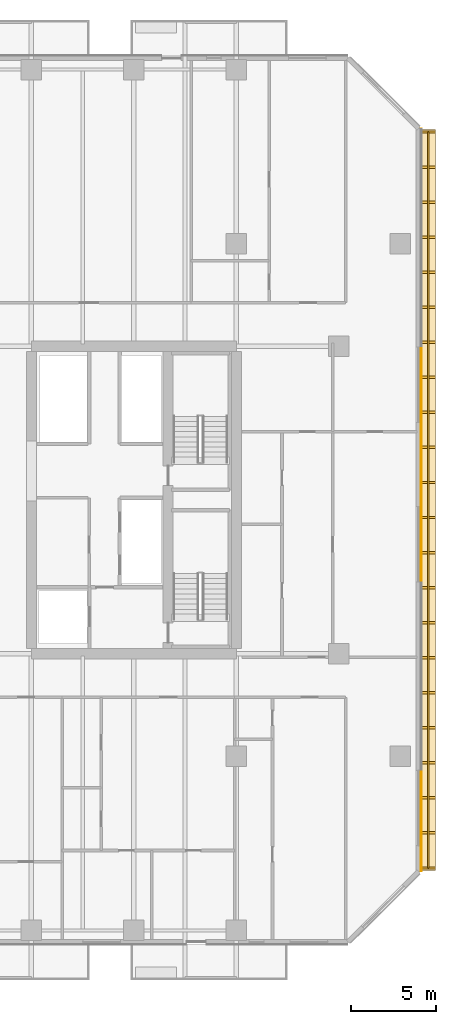
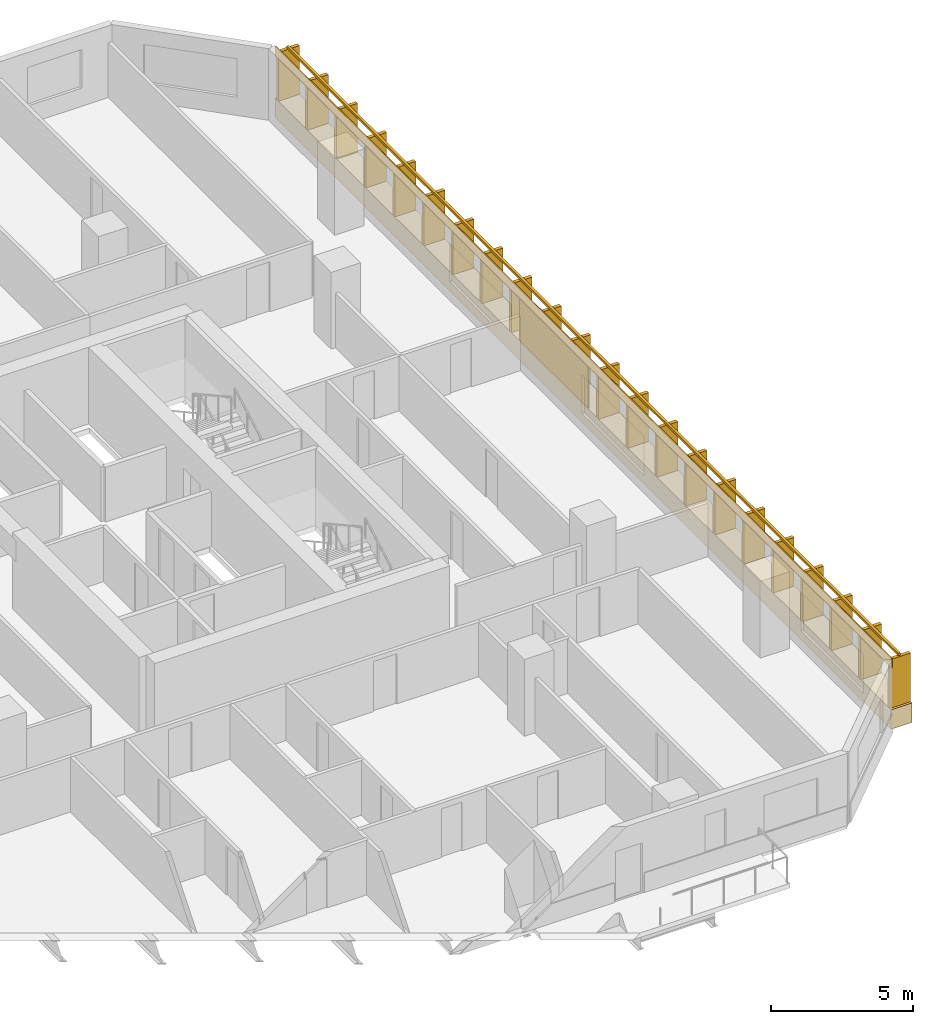
# One storey, part 25 of 26: 3 coverings, 1 railing.
"""IFC4 building model written with IfcOpenShell, lengths in metres."""

from ifc_helpers import new_model, si_unit, direction, frame, origin, origin_2d, place, context, subcontext, project, spatial, rectangle, extrude, material, layer, layer_set, type_object, element, save


model = new_model("IFC4")

# Units and contexts
model_context = context("Model", 3, precision=1e-05, world=origin(), true_north=direction((0.0, 1.0)))
body_context = subcontext(model_context, "Body", "Model", "MODEL_VIEW")
ifc_project = project(units=[si_unit("LENGTHUNIT", "METRE"), si_unit("AREAUNIT", "SQUARE_METRE"), si_unit("VOLUMEUNIT", "CUBIC_METRE"), si_unit("PLANEANGLEUNIT", "RADIAN"), si_unit("MASSUNIT", "GRAM", prefix="KILO")], contexts=[model_context])

# Site, building, storey
site_placement = place(None, origin())
site = spatial("IfcSite", under=ifc_project, at=site_placement, CompositionType="ELEMENT")
building_placement = place(site_placement, origin())
building = spatial("IfcBuilding", under=site, at=building_placement, Name="Tanjung Sevakor Pilgrim Tower", CompositionType="ELEMENT")
storey_placement = place(building_placement, frame((0.0, 0.0, 48.840087890625)))
storey = spatial("IfcBuildingStorey", under=building, at=storey_placement, Name="L13", CompositionType="ELEMENT", Elevation=48.840087890625)

# Coverings
ifc_material_1 = material(Name="Reconstructed Limestone Cladding", Category="masonry")
ifc_layer = layer(ifc_material_1, 0.044921875)
ifc_layer_set = layer_set([ifc_layer], Name="COV-CLAD-LIMESTONE")
covering_type = type_object("IfcCoveringType", Name="COV-CLAD-LIMESTONE", PredefinedType="CLADDING", material=ifc_layer_set)
covering_1_placement = place(storey_placement, frame((101.22998046875, 33.60009765625, 0.009765625), z_axis=(0.0, 0.0, 1.0), x_axis=(0.0, 1.0, 0.0)))
element("IfcCovering", 1, at=covering_1_placement, inside=storey, type_object=covering_type, Name="L13 Warm Limestone Sill Spandrel EW-L13-MAIN-7-1", PredefinedType="CLADDING", context=body_context, shape_type="SweptSolid", body=[
    extrude(rectangle(XDim=43.404052734375, YDim=0.860107421875, at=origin_2d()), origin(), (0.0, 0.0, 1.0), 0.840087890625),
])
covering_2_placement = place(storey_placement, frame((100.822509765625, 33.60009765625, 2.66015625), z_axis=(0.0, 0.0, 1.0), x_axis=(0.0, 1.0, 0.0)))
element("IfcCovering", 2, at=covering_2_placement, inside=storey, type_object=covering_type, Name="L13 Warm Limestone Cornice Spandrel EW-L13-MAIN-7", PredefinedType="CLADDING", context=body_context, shape_type="SweptSolid", body=[
    extrude(rectangle(XDim=43.444091796875, YDim=0.044921875, at=origin_2d()), origin(), (0.0, 0.0, 1.0), 0.409912109375),
])
covering_3_placement = place(storey_placement, frame((100.822509765625, 35.679931640625, 0.849853515625), z_axis=(0.0, 0.0, 1.0), x_axis=(0.0, 1.0, 0.0)))
element("IfcCovering", 3, at=covering_3_placement, inside=storey, type_object=covering_type, Name="L13 Warm Limestone Pier Panel EW-L13-MAIN-7-2", PredefinedType="CLADDING", context=body_context, shape_type="SweptSolid", body=[
    extrude(rectangle(XDim=4.840087890625, YDim=0.044921875, at=origin_2d()), origin(), (0.0, 0.0, 1.0), 1.81005859375),
])

# Railing
ifc_material_2 = material(Name="Anodised Bronze Aluminium 6063-T6", Category="aluminium")
railing_type = type_object("IfcRailingType", Name="RL-FIN-SCREEN", PredefinedType="BALUSTRADE", material=ifc_material_2)
railing_placement = place(storey_placement, frame((101.22509765625, 12.05810546875, 0.83984375)))
element("IfcRailing", 4, at=railing_placement, inside=storey, type_object=railing_type, Name="L13 Vertical Bronze-Gold Solar Fin Screen FNEND-EW-L13-MAIN-7-1", PredefinedType="BALUSTRADE", context=body_context, shape_type="SweptSolid", body=[
    extrude(rectangle(XDim=0.105, YDim=0.105), frame((0.0, 0.0, 2.157470703125), z_axis=(0.0, 1.0, 0.0), x_axis=(-1.0, 0.0, 0.0)), (0.0, 0.0, 1.0), 43.083984375),
    extrude(rectangle(XDim=0.85, YDim=0.14), origin(), (0.0, 0.0, 1.0), 2.10498046875),
    extrude(rectangle(XDim=0.85, YDim=0.14), frame((0.0, 2.051513671875, 0.0)), (0.0, 0.0, 1.0), 2.10498046875),
    extrude(rectangle(XDim=0.85, YDim=0.14), frame((0.0, 4.103271484375, 0.0)), (0.0, 0.0, 1.0), 2.10498046875),
    extrude(rectangle(XDim=0.85, YDim=0.14), frame((0.0, 6.15478515625, 0.0)), (0.0, 0.0, 1.0), 2.10498046875),
    extrude(rectangle(XDim=0.85, YDim=0.14), frame((0.0, 8.20654296875, 0.0)), (0.0, 0.0, 1.0), 2.10498046875),
    extrude(rectangle(XDim=0.85, YDim=0.14), frame((0.0, 10.258056640625, 0.0)), (0.0, 0.0, 1.0), 2.10498046875),
    extrude(rectangle(XDim=0.85, YDim=0.14), frame((0.0, 12.309814453125, 0.0)), (0.0, 0.0, 1.0), 2.10498046875),
    extrude(rectangle(XDim=0.85, YDim=0.14), frame((0.0, 14.361328125, 0.0)), (0.0, 0.0, 1.0), 2.10498046875),
    extrude(rectangle(XDim=0.85, YDim=0.14), frame((0.0, 16.412841796875, 0.0)), (0.0, 0.0, 1.0), 2.10498046875),
    extrude(rectangle(XDim=0.85, YDim=0.14), frame((0.0, 18.464599609375, 0.0)), (0.0, 0.0, 1.0), 2.10498046875),
    extrude(rectangle(XDim=0.85, YDim=0.14), frame((0.0, 20.51611328125, 0.0)), (0.0, 0.0, 1.0), 2.10498046875),
    extrude(rectangle(XDim=0.85, YDim=0.14), frame((0.0, 22.56787109375, 0.0)), (0.0, 0.0, 1.0), 2.10498046875),
    extrude(rectangle(XDim=0.85, YDim=0.14), frame((0.0, 24.619384765625, 0.0)), (0.0, 0.0, 1.0), 2.10498046875),
    extrude(rectangle(XDim=0.85, YDim=0.14), frame((0.0, 26.671142578125, 0.0)), (0.0, 0.0, 1.0), 2.10498046875),
    extrude(rectangle(XDim=0.85, YDim=0.14), frame((0.0, 28.72265625, 0.0)), (0.0, 0.0, 1.0), 2.10498046875),
    extrude(rectangle(XDim=0.85, YDim=0.14), frame((0.0, 30.774169921875, 0.0)), (0.0, 0.0, 1.0), 2.10498046875),
    extrude(rectangle(XDim=0.85, YDim=0.14), frame((0.0, 32.825927734375, 0.0)), (0.0, 0.0, 1.0), 2.10498046875),
    extrude(rectangle(XDim=0.85, YDim=0.14), frame((0.0, 34.87744140625, 0.0)), (0.0, 0.0, 1.0), 2.10498046875),
    extrude(rectangle(XDim=0.85, YDim=0.14), frame((0.0, 36.92919921875, 0.0)), (0.0, 0.0, 1.0), 2.10498046875),
    extrude(rectangle(XDim=0.85, YDim=0.14), frame((0.0, 38.980712890625, 0.0)), (0.0, 0.0, 1.0), 2.10498046875),
    extrude(rectangle(XDim=0.85, YDim=0.14), frame((0.0, 41.032470703125, 0.0)), (0.0, 0.0, 1.0), 2.10498046875),
    extrude(rectangle(XDim=0.85, YDim=0.14), frame((0.0, 43.083984375, 0.0)), (0.0, 0.0, 1.0), 2.10498046875),
])

save(model, "model.ifc")
